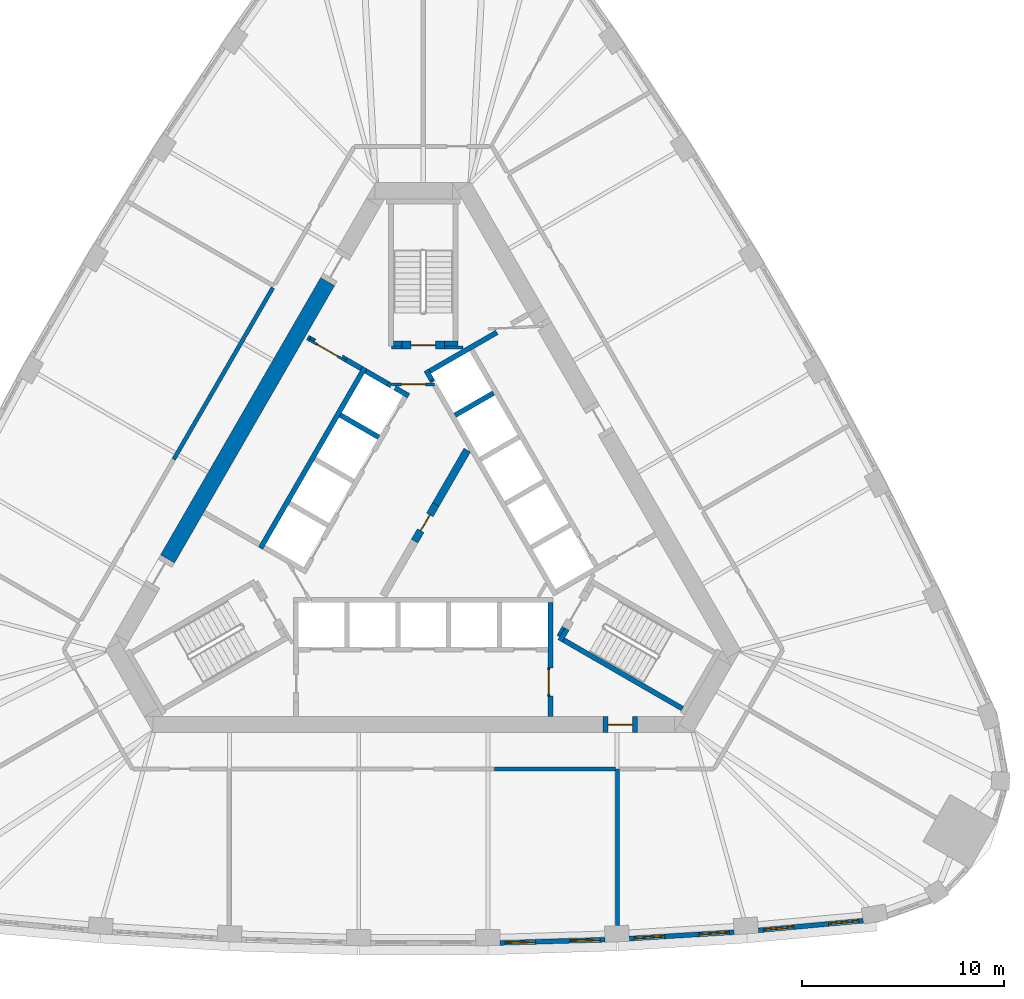
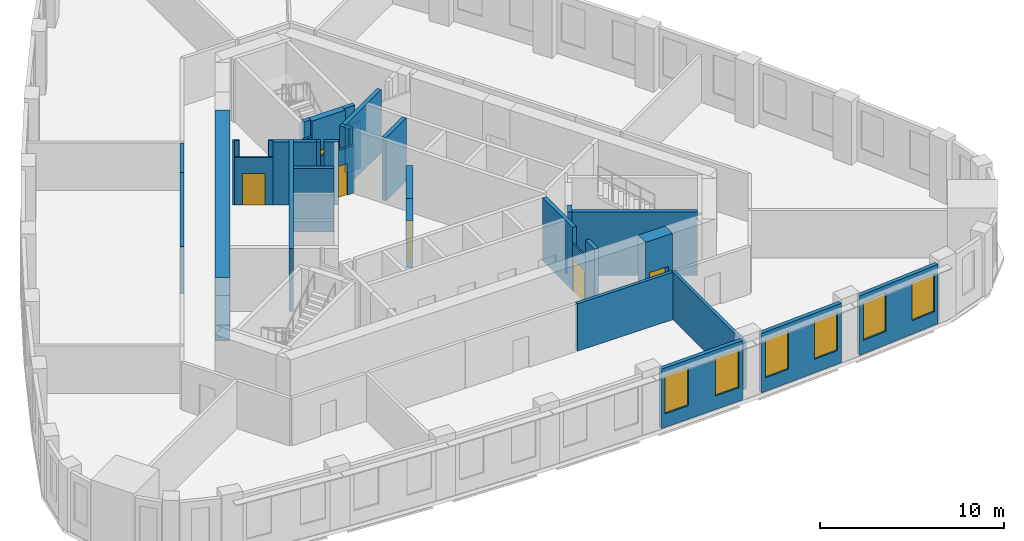
# One storey, part 5 of 9: 37 walls, 6 doors, 6 windows, 12 openings.
"""IFC4 building model written with IfcOpenShell, lengths in metres."""

from ifc_helpers import new_model, si_unit, direction, frame, frame_2d, origin, place, context, subcontext, project, spatial, polyline, rectangle, outline, extrude, material, layer, layer_set, type_object, element, fill, save


model = new_model("IFC4")

# Units and contexts
model_context = context("Model", 3, precision=1e-05, world=origin(), true_north=direction((0.0, 1.0)))
body_context = subcontext(model_context, "Body", "Model", "MODEL_VIEW")
ifc_project = project(units=[si_unit("LENGTHUNIT", "METRE"), si_unit("AREAUNIT", "SQUARE_METRE"), si_unit("VOLUMEUNIT", "CUBIC_METRE"), si_unit("PLANEANGLEUNIT", "RADIAN"), si_unit("MASSUNIT", "GRAM", prefix="KILO")], contexts=[model_context])

# Site, building, storey
site_placement = place(None, origin())
site = spatial("IfcSite", under=ifc_project, at=site_placement, CompositionType="ELEMENT")
building_placement = place(site_placement, origin())
building = spatial("IfcBuilding", under=site, at=building_placement, Name="Mestral Congress Tower", CompositionType="ELEMENT")
storey_placement = place(building_placement, frame((0.0, 0.0, 179.39990234375)))
storey = spatial("IfcBuildingStorey", under=building, at=storey_placement, Name="L42", CompositionType="ELEMENT", Elevation=179.39990234375)

# Walls
ifc_material_1 = material(Name="Fire-rated board partition")
ifc_layer_1 = layer(ifc_material_1, 0.14990234375)
ifc_layer_set_1 = layer_set([ifc_layer_1], Name="Fire-rated board partition")
wall_type_1 = type_object("IfcWallType", Name="Core partition 150", PredefinedType="PARTITIONING", material=ifc_layer_set_1)
wall_1_placement = place(storey_placement, frame((1.050048828125, 8.62548828125, 0.0), z_axis=(0.0, 0.0, 1.0), x_axis=(1.0, 0.0, 0.0)))
element("IfcWall", 1, at=wall_1_placement, inside=storey, type_object=wall_type_1, Name="L42 core wall", PredefinedType="PARTITIONING", context=body_context, shape_type="SweptSolid", body=[
    extrude(rectangle(XDim=0.9287109375, YDim=0.14990234375, at=frame_2d((0.46435546875, 0.0))), origin(), (0.0, 0.0, 1.0), 3.150146484375),
])
for number, where, z_axis, x_axis, name in (
    (2, (-1.56396484375, 8.62548828125, 0.0), (0.0, 0.0, 1.0), (1.0, 0.0, 0.0), "L42 core wall"),
    (3, (6.94482421875, -5.22216796875, 0.0), (0.0, 0.0, 1.0), (-0.499818422106, -0.866130212453, 0.0), "L42 core wall"),
):
    element("IfcWall", number, at=place(storey_placement, frame(where, z_axis=z_axis, x_axis=x_axis)), inside=storey, type_object=wall_type_1, Name=name, PredefinedType="PARTITIONING", context=body_context, shape_type="SweptSolid", body=[
        extrude(rectangle(XDim=0.513916015625, YDim=0.14990234375, at=frame_2d((0.2568359375, 0.0))), origin(), (0.0, 0.0, 1.0), 3.150146484375),
    ])
placement = place(storey_placement, origin())
element("IfcWall", 4, at=placement, inside=storey, type_object=wall_type_1, Name="L42 core wall", PredefinedType="PARTITIONING", context=body_context, shape_type="SweptSolid", body=[
    extrude(outline(polyline([(2.016845703125, 3.64306640625), (2.341552734375, 3.45556640625), (0.784912109375, 0.759521484375), (0.460205078125, 0.947021484375), (2.016845703125, 3.64306640625)])), origin(), (0.0, 0.0, 1.0), 3.150146484375),
])

# Wall, opening, door
wall_3_placement = place(storey_placement, frame((-1.534423828125, 6.800048828125, 0.0), z_axis=(0.0, 0.0, 1.0), x_axis=(1.0, 0.0, 0.0)))
wall_3 = element("IfcWall", 5, at=wall_3_placement, inside=storey, type_object=wall_type_1, Name="L42 door wall", PredefinedType="PARTITIONING", context=body_context, shape_type="SweptSolid", body=[
    extrude(rectangle(XDim=2.099853515625, YDim=0.14990234375, at=frame_2d((1.0498046875, 0.0))), origin(), (0.0, 0.0, 1.0), 3.150146484375),
])
opening_1_placement = place(wall_3_placement, frame((0.449951171875, 0.0, 0.0)))
opening_1 = element("IfcOpeningElement", 6, at=opening_1_placement, cuts=wall_3, Name="Opening CD2-FF", PredefinedType="OPENING", context=body_context, shape_type="SweptSolid", body=[
    extrude(rectangle(XDim=1.199951171875, YDim=2.10009765625, at=frame_2d((0.60009765625, 1.050048828125))), frame((0.0, 0.0849609375, 0.0), z_axis=(0.0, -1.0, 0.0), x_axis=(1.0, 0.0, 0.0)), (0.0, 0.0, 1.0), 0.169921875),
])
ifc_material_2 = material(Name="Fire-rated steel door set", Category="steel")
door_type_1 = type_object("IfcDoorType", Name="Core door CD 1200x2100", OperationType="SINGLE_SWING_LEFT", PredefinedType="DOOR", material=ifc_material_2)
door_1_placement = place(opening_1_placement, origin())
door_1 = element("IfcDoor", 7, at=door_1_placement, inside=storey, type_object=door_type_1, Name="Door CD2-FF", OperationType="SINGLE_SWING_LEFT", OverallHeight=2.10009765625, OverallWidth=1.199951171875, PredefinedType="DOOR", context=body_context, shape_type="SweptSolid", body=[
    extrude(rectangle(XDim=1.199951171875, YDim=2.10009765625, at=frame_2d((0.60009765625, 1.050048828125))), frame((0.0, 0.02490234375, 0.0), z_axis=(0.0, -1.0, 0.0), x_axis=(1.0, 0.0, 0.0)), (0.0, 0.0, 1.0), 0.050048828125),
])
fill(opening_1, door_1)

ifc_layer_2 = layer(ifc_material_1, 0.1201171875)
ifc_layer_set_2 = layer_set([ifc_layer_2], Name="Fire-rated board partition")
wall_type_2 = type_object("IfcWallType", Name="Core partition 150 door-wall 120", PredefinedType="PARTITIONING", material=ifc_layer_set_2)
wall_4_placement = place(storey_placement, frame((-5.65869140625, 9.01171875, 0.0), z_axis=(0.0, 0.0, 1.0), x_axis=(0.866009402589, -0.500027713859, 0.0)))
wall_4 = element("IfcWall", 8, at=wall_4_placement, inside=storey, type_object=wall_type_2, Name="L42 door wall", PredefinedType="PARTITIONING", context=body_context, shape_type="SweptSolid", body=[
    extrude(rectangle(XDim=2.10009765625, YDim=0.1201171875, at=frame_2d((1.050048828125, 0.0))), origin(), (0.0, 0.0, 1.0), 3.150146484375),
])
opening_2_placement = place(wall_4_placement, frame((0.449951171875, 0.0, 0.0)))
opening_2 = element("IfcOpeningElement", 9, at=opening_2_placement, cuts=wall_4, Name="Opening LB2-WL2", PredefinedType="OPENING", context=body_context, shape_type="SweptSolid", body=[
    extrude(rectangle(XDim=1.199951171875, YDim=2.10009765625, at=frame_2d((0.60009765625, 1.050048828125))), frame((0.0, 0.070068359375, 0.0), z_axis=(0.0, -1.0, 0.0), x_axis=(1.0, 0.0, 0.0)), (0.0, 0.0, 1.0), 0.14013671875),
])
door_type_2 = type_object("IfcDoorType", Name="Core door LB 1200x2100", OperationType="SINGLE_SWING_LEFT", PredefinedType="DOOR", material=ifc_material_2)
door_2_placement = place(opening_2_placement, origin())
door_2 = element("IfcDoor", 10, at=door_2_placement, inside=storey, type_object=door_type_2, Name="Door LB2-WL2", OperationType="SINGLE_SWING_LEFT", OverallHeight=2.10009765625, OverallWidth=1.199951171875, PredefinedType="DOOR", context=body_context, shape_type="SweptSolid", body=[
    extrude(rectangle(XDim=1.199951171875, YDim=2.10009765625, at=frame_2d((0.60009765625, 1.050048828125))), frame((0.0, 0.02490234375, 0.0), z_axis=(0.0, -1.0, 0.0), x_axis=(1.0, 0.0, 0.0)), (0.0, 0.0, 1.0), 0.050048828125),
])
fill(opening_2, door_2)

ifc_layer_3 = layer(ifc_material_1, 0.375)
ifc_layer_set_3 = layer_set([ifc_layer_3], Name="Fire-rated board partition")
wall_type_3 = type_object("IfcWallType", Name="Core partition 150 door-wall 375", PredefinedType="PARTITIONING", material=ifc_layer_set_3)
wall_5_placement = place(storey_placement, frame((-0.427490234375, -0.965576171875, 0.0), z_axis=(0.0, 0.0, 1.0), x_axis=(0.49994051562, 0.866059744384, 0.0)))
wall_5 = element("IfcWall", 11, at=wall_5_placement, inside=storey, type_object=wall_type_3, Name="L42 door wall", PredefinedType="PARTITIONING", context=body_context, shape_type="SweptSolid", body=[
    extrude(rectangle(XDim=2.099853515625, YDim=0.375, at=frame_2d((1.0498046875, 0.0))), origin(), (0.0, 0.0, 1.0), 3.150146484375),
])
opening_3_placement = place(wall_5_placement, frame((0.60009765625, 0.0, 0.0)))
opening_3 = element("IfcOpeningElement", 12, at=opening_3_placement, cuts=wall_5, Name="Opening CD1-HUB0", PredefinedType="OPENING", context=body_context, shape_type="SweptSolid", body=[
    extrude(rectangle(XDim=0.89990234375, YDim=2.10009765625, at=frame_2d((0.449951171875, 1.050048828125))), frame((0.0, 0.197509765625, 0.0), z_axis=(0.0, -1.0, 0.0), x_axis=(1.0, 0.0, 0.0)), (0.0, 0.0, 1.0), 0.39501953125),
])
door_type_3 = type_object("IfcDoorType", Name="Core door CD 900x2100", OperationType="SINGLE_SWING_LEFT", PredefinedType="DOOR", material=ifc_material_2)
door_3_placement = place(opening_3_placement, origin())
door_3 = element("IfcDoor", 13, at=door_3_placement, inside=storey, type_object=door_type_3, Name="Door CD1-HUB0", OperationType="SINGLE_SWING_LEFT", OverallHeight=2.10009765625, OverallWidth=0.89990234375, PredefinedType="DOOR", context=body_context, shape_type="SweptSolid", body=[
    extrude(rectangle(XDim=0.89990234375, YDim=2.10009765625, at=frame_2d((0.449951171875, 1.050048828125))), frame((0.0, 0.02490234375, 0.0), z_axis=(0.0, -1.0, 0.0), x_axis=(1.0, 0.0, 0.0)), (0.0, 0.0, 1.0), 0.050048828125),
])
fill(opening_3, door_3)

ifc_layer_4 = layer(ifc_material_1, 0.090087890625)
ifc_layer_set_4 = layer_set([ifc_layer_4], Name="Fire-rated board partition")
wall_type_4 = type_object("IfcWallType", Name="Core partition 150 door-wall 90", PredefinedType="PARTITIONING", material=ifc_layer_set_4)
wall_6_placement = place(storey_placement, frame((6.219970703125, -7.23681640625, 0.0), z_axis=(0.0, 0.0, 1.0), x_axis=(0.0, -1.0, 0.0)))
wall_6 = element("IfcWall", 14, at=wall_6_placement, inside=storey, type_object=wall_type_4, Name="L42 door wall", PredefinedType="PARTITIONING", context=body_context, shape_type="SweptSolid", body=[
    extrude(rectangle(XDim=1.400146484375, YDim=0.090087890625, at=frame_2d((0.7001953125, 0.0))), origin(), (0.0, 0.0, 1.0), 3.150146484375),
])
opening_4_placement = place(wall_6_placement, frame((0.10009765625, 0.0, 0.0)))
opening_4 = element("IfcOpeningElement", 15, at=opening_4_placement, cuts=wall_6, Name="Opening LB0-WL1", PredefinedType="OPENING", context=body_context, shape_type="SweptSolid", body=[
    extrude(rectangle(XDim=1.199951171875, YDim=2.10009765625, at=frame_2d((0.60009765625, 1.050048828125))), frame((0.0, 0.054931640625, 0.0), z_axis=(0.0, -1.0, 0.0), x_axis=(1.0, 0.0, 0.0)), (0.0, 0.0, 1.0), 0.110107421875),
])
door_4_placement = place(opening_4_placement, origin())
door_4 = element("IfcDoor", 16, at=door_4_placement, inside=storey, type_object=door_type_2, Name="Door LB0-WL1", OperationType="SINGLE_SWING_LEFT", OverallHeight=2.10009765625, OverallWidth=1.199951171875, PredefinedType="DOOR", context=body_context, shape_type="SweptSolid", body=[
    extrude(rectangle(XDim=1.199951171875, YDim=2.10009765625, at=frame_2d((0.60009765625, 1.050048828125))), frame((0.0, 0.02490234375, 0.0), z_axis=(0.0, -1.0, 0.0), x_axis=(1.0, 0.0, 0.0)), (0.0, 0.0, 1.0), 0.050048828125),
])
fill(opening_4, door_4)

# Wall
ifc_material_3 = material(Name="Concrete C60/75", Category="concrete")
ifc_layer_5 = layer(ifc_material_3, 0.800048828125)
ifc_layer_set_5 = layer_set([ifc_layer_5], Name="Concrete C60/75")
wall_type_5 = type_object("IfcWallType", Name="Core wall RC 800", PredefinedType="SOLIDWALL", material=ifc_layer_set_5)
wall_7_placement = place(storey_placement, frame((-12.668212890625, -1.841796875, 0.0), z_axis=(0.0, 0.0, 1.0), x_axis=(0.500003640647, 0.866023301845, 0.0)))
element("IfcWall", 17, at=wall_7_placement, inside=storey, type_object=wall_type_5, Name="L42 core wall", PredefinedType="SOLIDWALL", context=body_context, shape_type="SweptSolid", body=[
    extrude(rectangle(XDim=15.8583984375, YDim=0.800048828125, at=frame_2d((7.92919921875, 0.0))), origin(), (0.0, 0.0, 1.0), 4.2001953125),
])

# Wall, opening, door
wall_8_placement = place(storey_placement, frame((10.6044921875, -10.050048828125, 0.0), z_axis=(0.0, 0.0, 1.0), x_axis=(-1.0, 0.0, 0.0)))
wall_8 = element("IfcWall", 18, at=wall_8_placement, inside=storey, type_object=wall_type_5, Name="L42 door wall", PredefinedType="SOLIDWALL", context=body_context, shape_type="SweptSolid", body=[
    extrude(rectangle(XDim=1.699951171875, YDim=0.800048828125, at=frame_2d((0.85009765625, 0.0))), origin(), (0.0, 0.0, 1.0), 4.2001953125),
])
opening_5_placement = place(wall_8_placement, frame((0.25, 0.0, 0.0)))
opening_5 = element("IfcOpeningElement", 19, at=opening_5_placement, cuts=wall_8, Name="Opening XD1", PredefinedType="OPENING", context=body_context, shape_type="SweptSolid", body=[
    extrude(rectangle(XDim=1.199951171875, YDim=2.10009765625, at=frame_2d((0.60009765625, 1.050048828125))), frame((0.0, 0.409912109375, 0.0), z_axis=(0.0, -1.0, 0.0), x_axis=(1.0, 0.0, 0.0)), (0.0, 0.0, 1.0), 0.820068359375),
])
door_type_4 = type_object("IfcDoorType", Name="Core door XD 1200x2100", OperationType="SINGLE_SWING_LEFT", PredefinedType="DOOR", material=ifc_material_2)
door_5_placement = place(opening_5_placement, origin())
door_5 = element("IfcDoor", 20, at=door_5_placement, inside=storey, type_object=door_type_4, Name="Door XD1", OperationType="SINGLE_SWING_LEFT", OverallHeight=2.10009765625, OverallWidth=1.199951171875, PredefinedType="DOOR", context=body_context, shape_type="SweptSolid", body=[
    extrude(rectangle(XDim=1.199951171875, YDim=2.10009765625, at=frame_2d((0.60009765625, 1.050048828125))), frame((0.0, 0.02490234375, 0.0), z_axis=(0.0, -1.0, 0.0), x_axis=(1.0, 0.0, 0.0)), (0.0, 0.0, 1.0), 0.050048828125),
])
fill(opening_5, door_5)

# Wall, openings, windows
ifc_material_4 = material(Name="Precast concrete C40/50 with limestone facing", Category="masonry")
ifc_layer_6 = layer(ifc_material_4, 0.239990234375)
ifc_layer_set_6 = layer_set([ifc_layer_6], Name="Precast concrete C40/50 with limestone facing")
wall_type_6 = type_object("IfcWallType", Name="Facade stone wall 240", PredefinedType="SOLIDWALL", material=ifc_layer_set_6)
wall_9_placement = place(storey_placement, frame((3.80615234375, -20.869873046875, 0.0), z_axis=(0.0, 0.0, 1.0), x_axis=(0.999533441983, 0.030543384845, 0.0)))
wall_9 = element("IfcWall", 21, at=wall_9_placement, inside=storey, type_object=wall_type_6, Name="Facade wall F0-04", PredefinedType="SOLIDWALL", context=body_context, shape_type="SweptSolid", body=[
    extrude(rectangle(XDim=5.20361328125, YDim=0.239990234375, at=frame_2d((2.601806640625, 0.0))), origin(), (0.0, 0.0, 1.0), 3.9501953125),
])
opening_6_placement = place(wall_9_placement, frame((0.248291015625, 0.0, 0.89990234375)))
opening_6 = element("IfcOpeningElement", 22, at=opening_6_placement, cuts=wall_9, Name="Opening W4", PredefinedType="OPENING", context=body_context, shape_type="SweptSolid", body=[
    extrude(rectangle(XDim=1.5, YDim=2.550048828125, at=frame_2d((0.75, 1.27490234375))), frame((0.0, 0.1298828125, 0.0), z_axis=(0.0, -1.0, 0.0), x_axis=(1.0, 0.0, 0.0)), (0.0, 0.0, 1.0), 0.260009765625),
])
opening_7_placement = place(wall_9_placement, frame((3.455078125, 0.0, 0.89990234375)))
opening_7 = element("IfcOpeningElement", 23, at=opening_7_placement, cuts=wall_9, Name="Opening W4", PredefinedType="OPENING", context=body_context, shape_type="SweptSolid", body=[
    extrude(rectangle(XDim=1.5, YDim=2.550048828125, at=frame_2d((0.75, 1.27490234375))), frame((0.0, 0.1298828125, 0.0), z_axis=(0.0, -1.0, 0.0), x_axis=(1.0, 0.0, 0.0)), (0.0, 0.0, 1.0), 0.260009765625),
])
ifc_material_5 = material(Name="Clear low-emissivity double glazing", Category="glass")
window_type = type_object("IfcWindowType", Name="Facade punched window 1500 x 2550 sill 900", PartitioningType="SINGLE_PANEL", PredefinedType="WINDOW", material=ifc_material_5)
window_1_placement = place(opening_6_placement, origin())
window_1 = element("IfcWindow", 24, at=window_1_placement, inside=storey, type_object=window_type, Name="Window F0-04a", OverallHeight=2.550048828125, OverallWidth=1.5, PartitioningType="SINGLE_PANEL", PredefinedType="WINDOW", context=body_context, shape_type="SweptSolid", body=[
    extrude(rectangle(XDim=1.5, YDim=2.550048828125, at=frame_2d((0.75, 1.27490234375))), frame((0.0, 0.0400390625, 0.0), z_axis=(0.0, -1.0, 0.0), x_axis=(1.0, 0.0, 0.0)), (0.0, 0.0, 1.0), 0.06005859375),
])
fill(opening_6, window_1)
window_2_placement = place(opening_7_placement, origin())
window_2 = element("IfcWindow", 25, at=window_2_placement, inside=storey, type_object=window_type, Name="Window F0-04b", OverallHeight=2.550048828125, OverallWidth=1.5, PartitioningType="SINGLE_PANEL", PredefinedType="WINDOW", context=body_context, shape_type="SweptSolid", body=[
    extrude(rectangle(XDim=1.5, YDim=2.550048828125, at=frame_2d((0.75, 1.27490234375))), frame((0.0, 0.0400390625, 0.0), z_axis=(0.0, -1.0, 0.0), x_axis=(1.0, 0.0, 0.0)), (0.0, 0.0, 1.0), 0.06005859375),
])
fill(opening_7, window_2)

wall_10_placement = place(storey_placement, frame((10.210693359375, -20.656005859375, 0.0), z_axis=(0.0, 0.0, 1.0), x_axis=(0.998135294646, 0.061040425794, 0.0)))
wall_10 = element("IfcWall", 26, at=wall_10_placement, inside=storey, type_object=wall_type_6, Name="Facade wall F0-05", PredefinedType="SOLIDWALL", context=body_context, shape_type="SweptSolid", body=[
    extrude(rectangle(XDim=5.20361328125, YDim=0.239990234375, at=frame_2d((2.601806640625, 0.0))), origin(), (0.0, 0.0, 1.0), 3.9501953125),
])
opening_8_placement = place(wall_10_placement, frame((0.248291015625, 0.0, 0.89990234375)))
opening_8 = element("IfcOpeningElement", 27, at=opening_8_placement, cuts=wall_10, Name="Opening W4", PredefinedType="OPENING", context=body_context, shape_type="SweptSolid", body=[
    extrude(rectangle(XDim=1.5, YDim=2.550048828125, at=frame_2d((0.75, 1.27490234375))), frame((0.0, 0.1298828125, 0.0), z_axis=(0.0, -1.0, 0.0), x_axis=(1.0, 0.0, 0.0)), (0.0, 0.0, 1.0), 0.260009765625),
])
opening_9_placement = place(wall_10_placement, frame((3.455078125, 0.0, 0.89990234375)))
opening_9 = element("IfcOpeningElement", 28, at=opening_9_placement, cuts=wall_10, Name="Opening W4", PredefinedType="OPENING", context=body_context, shape_type="SweptSolid", body=[
    extrude(rectangle(XDim=1.5, YDim=2.550048828125, at=frame_2d((0.75, 1.27490234375))), frame((0.0, 0.1298828125, 0.0), z_axis=(0.0, -1.0, 0.0), x_axis=(1.0, 0.0, 0.0)), (0.0, 0.0, 1.0), 0.260009765625),
])
window_3_placement = place(opening_8_placement, origin())
window_3 = element("IfcWindow", 29, at=window_3_placement, inside=storey, type_object=window_type, Name="Window F0-05a", OverallHeight=2.550048828125, OverallWidth=1.5, PartitioningType="SINGLE_PANEL", PredefinedType="WINDOW", context=body_context, shape_type="SweptSolid", body=[
    extrude(rectangle(XDim=1.5, YDim=2.550048828125, at=frame_2d((0.75, 1.27490234375))), frame((0.0, 0.0400390625, 0.0), z_axis=(0.0, -1.0, 0.0), x_axis=(1.0, 0.0, 0.0)), (0.0, 0.0, 1.0), 0.06005859375),
])
fill(opening_8, window_3)
window_4_placement = place(opening_9_placement, origin())
window_4 = element("IfcWindow", 30, at=window_4_placement, inside=storey, type_object=window_type, Name="Window F0-05b", OverallHeight=2.550048828125, OverallWidth=1.5, PartitioningType="SINGLE_PANEL", PredefinedType="WINDOW", context=body_context, shape_type="SweptSolid", body=[
    extrude(rectangle(XDim=1.5, YDim=2.550048828125, at=frame_2d((0.75, 1.27490234375))), frame((0.0, 0.0400390625, 0.0), z_axis=(0.0, -1.0, 0.0), x_axis=(1.0, 0.0, 0.0)), (0.0, 0.0, 1.0), 0.06005859375),
])
fill(opening_9, window_4)

wall_11_placement = place(storey_placement, frame((16.605712890625, -20.24658203125, 0.0), z_axis=(0.0, 0.0, 1.0), x_axis=(0.995808712151, 0.091460422067, 0.0)))
wall_11 = element("IfcWall", 31, at=wall_11_placement, inside=storey, type_object=wall_type_6, Name="Facade wall F0-06", PredefinedType="SOLIDWALL", context=body_context, shape_type="SweptSolid", body=[
    extrude(rectangle(XDim=5.213134765625, YDim=0.239990234375, at=frame_2d((2.6064453125, 0.0))), origin(), (0.0, 0.0, 1.0), 3.9501953125),
])
opening_10_placement = place(wall_11_placement, frame((0.2607421875, 0.0, 0.89990234375)))
opening_10 = element("IfcOpeningElement", 32, at=opening_10_placement, cuts=wall_11, Name="Opening W4", PredefinedType="OPENING", context=body_context, shape_type="SweptSolid", body=[
    extrude(rectangle(XDim=1.5, YDim=2.550048828125, at=frame_2d((0.75, 1.27490234375))), frame((0.0, 0.1298828125, 0.0), z_axis=(0.0, -1.0, 0.0), x_axis=(1.0, 0.0, 0.0)), (0.0, 0.0, 1.0), 0.260009765625),
])
opening_11_placement = place(wall_11_placement, frame((3.492431640625, 0.0, 0.89990234375)))
opening_11 = element("IfcOpeningElement", 33, at=opening_11_placement, cuts=wall_11, Name="Opening W4", PredefinedType="OPENING", context=body_context, shape_type="SweptSolid", body=[
    extrude(rectangle(XDim=1.5, YDim=2.550048828125, at=frame_2d((0.75, 1.27490234375))), frame((0.0, 0.1298828125, 0.0), z_axis=(0.0, -1.0, 0.0), x_axis=(1.0, 0.0, 0.0)), (0.0, 0.0, 1.0), 0.260009765625),
])
window_5_placement = place(opening_10_placement, origin())
window_5 = element("IfcWindow", 34, at=window_5_placement, inside=storey, type_object=window_type, Name="Window F0-06a", OverallHeight=2.550048828125, OverallWidth=1.5, PartitioningType="SINGLE_PANEL", PredefinedType="WINDOW", context=body_context, shape_type="SweptSolid", body=[
    extrude(rectangle(XDim=1.5, YDim=2.550048828125, at=frame_2d((0.75, 1.27490234375))), frame((0.0, 0.0400390625, 0.0), z_axis=(0.0, -1.0, 0.0), x_axis=(1.0, 0.0, 0.0)), (0.0, 0.0, 1.0), 0.06005859375),
])
fill(opening_10, window_5)
window_6_placement = place(opening_11_placement, origin())
window_6 = element("IfcWindow", 35, at=window_6_placement, inside=storey, type_object=window_type, Name="Window F0-06b", OverallHeight=2.550048828125, OverallWidth=1.5, PartitioningType="SINGLE_PANEL", PredefinedType="WINDOW", context=body_context, shape_type="SweptSolid", body=[
    extrude(rectangle(XDim=1.5, YDim=2.550048828125, at=frame_2d((0.75, 1.27490234375))), frame((0.0, 0.0400390625, 0.0), z_axis=(0.0, -1.0, 0.0), x_axis=(1.0, 0.0, 0.0)), (0.0, 0.0, 1.0), 0.06005859375),
])
fill(opening_11, window_6)

# Walls
ifc_material_6 = material(Name="Dense masonry wall, plastered", Category="masonry")
ifc_layer_7 = layer(ifc_material_6, 0.199951171875)
ifc_layer_set_7 = layer_set([ifc_layer_7], Name="Dense masonry wall, plastered")
wall_type_7 = type_object("IfcWallType", Name="Office tenancy wall 200", PredefinedType="PARTITIONING", material=ifc_layer_set_7)
wall_12_placement = place(storey_placement, frame((9.6171875, -12.25, 0.0), z_axis=(0.0, 0.0, 1.0), x_axis=(0.0, -1.0, 0.0)))
element("IfcWall", 36, at=wall_12_placement, inside=storey, type_object=wall_type_7, Name="Tenancy wall", PredefinedType="PARTITIONING", context=body_context, shape_type="SweptSolid", body=[
    extrude(rectangle(XDim=7.761474609375, YDim=0.199951171875, at=frame_2d((3.880859375, 0.0))), origin(), (0.0, 0.0, 1.0), 3.150146484375),
])
wall_13_placement = place(storey_placement, frame((3.530029296875, -12.25, 0.0), z_axis=(0.0, 0.0, 1.0), x_axis=(1.0, 0.0, 0.0)))
element("IfcWall", 37, at=wall_13_placement, inside=storey, type_object=wall_type_7, Name="Tenancy wall", PredefinedType="PARTITIONING", context=body_context, shape_type="SweptSolid", body=[
    extrude(rectangle(XDim=5.987060546875, YDim=0.199951171875, at=frame_2d((2.99365234375, 0.0))), origin(), (0.0, 0.0, 1.0), 3.150146484375),
])
wall_14_placement = place(storey_placement, frame((-8.85888671875, 9.156005859375, 0.0), z_axis=(0.0, 0.0, 1.0), x_axis=(-0.500010275428, -0.866019471182, 0.0)))
element("IfcWall", 38, at=wall_14_placement, inside=storey, type_object=wall_type_7, Name="Tenancy wall", PredefinedType="PARTITIONING", context=body_context, shape_type="SweptSolid", body=[
    extrude(rectangle(XDim=6.999755859375, YDim=0.199951171875, at=frame_2d((3.5, 0.0))), origin(), (0.0, 0.0, 1.0), 3.150146484375),
])
wall_15_placement = place(storey_placement, frame((-7.452880859375, 11.59130859375, 0.0), z_axis=(0.0, 0.0, 1.0), x_axis=(-0.499980749935, -0.866036517529, 0.0)))
element("IfcWall", 39, at=wall_15_placement, inside=storey, type_object=wall_type_7, Name="Tenancy wall", PredefinedType="PARTITIONING", context=body_context, shape_type="SweptSolid", body=[
    extrude(rectangle(XDim=2.78173828125, YDim=0.199951171875, at=frame_2d((1.390869140625, 0.0))), origin(), (0.0, 0.0, 1.0), 3.150146484375),
])
ifc_layer_8 = layer(ifc_material_3, 0.25)
ifc_layer_set_8 = layer_set([ifc_layer_8], Name="Concrete C60/75")
wall_type_8 = type_object("IfcWallType", Name="Shaft wall RC 250", PredefinedType="SOLIDWALL", material=ifc_layer_set_8)
wall_16_placement = place(storey_placement, frame((6.300048828125, -7.239990234375, 0.0), z_axis=(0.0, 0.0, 1.0), x_axis=(0.0, 1.0, 0.0)))
element("IfcWall", 40, at=wall_16_placement, inside=storey, type_object=wall_type_8, Name="L42 core wall", PredefinedType="SOLIDWALL", context=body_context, shape_type="SweptSolid", body=[
    extrude(rectangle(XDim=3.239990234375, YDim=0.25, at=frame_2d((1.6201171875, 0.0))), origin(), (0.0, 0.0, 1.0), 4.2001953125),
])
wall_17_placement = place(storey_placement, frame((6.300048828125, -9.64990234375, 0.0), z_axis=(0.0, 0.0, 1.0), x_axis=(0.0, 1.0, 0.0)))
element("IfcWall", 41, at=wall_17_placement, inside=storey, type_object=wall_type_8, Name="L42 core wall", PredefinedType="SOLIDWALL", context=body_context, shape_type="SweptSolid", body=[
    extrude(rectangle(XDim=1.0078125, YDim=0.25, at=frame_2d((0.50390625, 0.0))), origin(), (0.0, 0.0, 1.0), 4.2001953125),
])
wall_18_placement = place(storey_placement, frame((0.473388671875, 6.93017578125, 0.0), z_axis=(0.0, 0.0, 1.0), x_axis=(-0.49972245349, 0.866185586049, 0.0)))
element("IfcWall", 42, at=wall_18_placement, inside=storey, type_object=wall_type_8, Name="L42 core wall", PredefinedType="SOLIDWALL", context=body_context, shape_type="SweptSolid", body=[
    extrude(rectangle(XDim=0.10986328125, YDim=0.25, at=frame_2d((0.054931640625, 0.0))), origin(), (0.0, 0.0, 1.0), 4.2001953125),
])
wall_19_placement = place(storey_placement, frame((0.41748046875, 7.027099609375, 0.0), z_axis=(0.0, 0.0, 1.0), x_axis=(-0.500210807569, 0.865903659763, 0.0)))
element("IfcWall", 43, at=wall_19_placement, inside=storey, type_object=wall_type_8, Name="L42 core wall", PredefinedType="SOLIDWALL", context=body_context, shape_type="SweptSolid", body=[
    extrude(rectangle(XDim=0.548095703125, YDim=0.25, at=frame_2d((0.27392578125, 0.0))), origin(), (0.0, 0.0, 1.0), 4.2001953125),
])
wall_20_placement = place(storey_placement, frame((3.647216796875, 9.38037109375, 0.0), z_axis=(0.0, 0.0, 1.0), x_axis=(-0.866025015791, -0.500000672024, 0.0)))
element("IfcWall", 44, at=wall_20_placement, inside=storey, type_object=wall_type_8, Name="L42 core wall", PredefinedType="SOLIDWALL", context=body_context, shape_type="SweptSolid", body=[
    extrude(rectangle(XDim=3.8486328125, YDim=0.25, at=frame_2d((1.92431640625, 0.0))), origin(), (0.0, 0.0, 1.0), 4.2001953125),
])
wall_21_placement = place(storey_placement, frame((1.57421875, 5.273681640625, 0.0), z_axis=(0.0, 0.0, 1.0), x_axis=(0.866028486751, 0.499994660107, 0.0)))
element("IfcWall", 45, at=wall_21_placement, inside=storey, type_object=wall_type_8, Name="L42 core wall", PredefinedType="SOLIDWALL", context=body_context, shape_type="SweptSolid", body=[
    extrude(rectangle(XDim=2.19970703125, YDim=0.25, at=frame_2d((1.099853515625, 0.0))), origin(), (0.0, 0.0, 1.0), 4.2001953125),
])
wall_22_placement = place(storey_placement, frame((-8.06005859375, -1.310546875, 0.0), z_axis=(0.0, 0.0, 1.0), x_axis=(0.50000273126, 0.866023826885, 0.0)))
element("IfcWall", 46, at=wall_22_placement, inside=storey, type_object=wall_type_8, Name="L42 core wall", PredefinedType="SOLIDWALL", context=body_context, shape_type="SweptSolid", body=[
    extrude(rectangle(XDim=10.330078125, YDim=0.25, at=frame_2d((5.1650390625, 0.0))), origin(), (0.0, 0.0, 1.0), 4.2001953125),
])
wall_23_placement = place(storey_placement, frame((-1.75830078125, 6.834716796875, 0.0), z_axis=(0.0, 0.0, 1.0), x_axis=(0.865982457891, -0.500074377092, 0.0)))
element("IfcWall", 47, at=wall_23_placement, inside=storey, type_object=wall_type_8, Name="L42 core wall", PredefinedType="SOLIDWALL", context=body_context, shape_type="SweptSolid", body=[
    extrude(rectangle(XDim=0.2001953125, YDim=0.25, at=frame_2d((0.10009765625, 0.0))), origin(), (0.0, 0.0, 1.0), 4.2001953125),
])
wall_24_placement = place(storey_placement, frame((-1.760009765625, 6.835693359375, 0.0), z_axis=(0.0, 0.0, 1.0), x_axis=(-0.865952863304, 0.500125622755, 0.0)))
element("IfcWall", 48, at=wall_24_placement, inside=storey, type_object=wall_type_8, Name="L42 core wall", PredefinedType="SOLIDWALL", context=body_context, shape_type="SweptSolid", body=[
    extrude(rectangle(XDim=1.258056640625, YDim=0.25, at=frame_2d((0.62890625, 0.0))), origin(), (0.0, 0.0, 1.0), 4.2001953125),
])
wall_25_placement = place(storey_placement, frame((-0.7275390625, 6.23974609375, 0.0), z_axis=(0.0, 0.0, 1.0), x_axis=(-0.865955664968, 0.500120771724, 0.0)))
element("IfcWall", 49, at=wall_25_placement, inside=storey, type_object=wall_type_8, Name="L42 core wall", PredefinedType="SOLIDWALL", context=body_context, shape_type="SweptSolid", body=[
    extrude(rectangle(XDim=0.778076171875, YDim=0.25, at=frame_2d((0.38916015625, 0.0))), origin(), (0.0, 0.0, 1.0), 4.2001953125),
])
wall_26_placement = place(storey_placement, frame((-2.2041015625, 4.182373046875, 0.0), z_axis=(0.0, 0.0, 1.0), x_axis=(-0.866008176907, 0.50002983664, 0.0)))
element("IfcWall", 50, at=wall_26_placement, inside=storey, type_object=wall_type_8, Name="L42 core wall", PredefinedType="SOLIDWALL", context=body_context, shape_type="SweptSolid", body=[
    extrude(rectangle(XDim=2.199951171875, YDim=0.25, at=frame_2d((1.10009765625, 0.0))), origin(), (0.0, 0.0, 1.0), 4.2001953125),
])
wall_27_placement = place(storey_placement, frame((-5.724609375, 9.124755859375, 0.0), z_axis=(0.0, 0.0, 1.0), x_axis=(0.866185586049, -0.49972245349, 0.0)))
element("IfcWall", 51, at=wall_27_placement, inside=storey, type_object=wall_type_8, Name="L42 core wall", PredefinedType="SOLIDWALL", context=body_context, shape_type="SweptSolid", body=[
    extrude(rectangle(XDim=0.10986328125, YDim=0.25, at=frame_2d((0.054931640625, 0.0))), origin(), (0.0, 0.0, 1.0), 4.2001953125),
])
wall_28_placement = place(storey_placement, frame((-3.06591796875, 7.58984375, 0.0), z_axis=(0.0, 0.0, 1.0), x_axis=(-0.866081358704, 0.49990307071, 0.0)))
element("IfcWall", 52, at=wall_28_placement, inside=storey, type_object=wall_type_8, Name="L42 core wall", PredefinedType="SOLIDWALL", context=body_context, shape_type="SweptSolid", body=[
    extrude(rectangle(XDim=0.858154296875, YDim=0.25, at=frame_2d((0.42919921875, 0.0))), origin(), (0.0, 0.0, 1.0), 4.2001953125),
])
element("IfcWall", 53, at=placement, inside=storey, type_object=wall_type_8, Name="L42 core wall", PredefinedType="SOLIDWALL", context=body_context, shape_type="SweptSolid", body=[
    extrude(outline(polyline([(-3.748291015625, 8.1279296875), (-3.813232421875, 8.015380859375), (-4.026611328125, 8.138671875), (-4.0166015625, 8.156005859375), (-4.007568359375, 8.17333984375), (-4.000244140625, 8.191650390625), (-3.994873046875, 8.21044921875), (-3.991455078125, 8.229736328125), (-3.98974609375, 8.24951171875), (-3.989990234375, 8.267578125), (-3.748291015625, 8.1279296875)])), origin(), (0.0, 0.0, 1.0), 4.2001953125),
])
element("IfcWall", 54, at=placement, inside=storey, type_object=wall_type_8, Name="L42 core wall", PredefinedType="SOLIDWALL", context=body_context, shape_type="SweptSolid", body=[
    extrude(outline(polyline([(-5.688720703125, 8.959716796875), (-5.690185546875, 8.960693359375), (-5.565185546875, 9.177001953125), (-5.318603515625, 9.03466796875), (-5.334716796875, 9.02587890625), (-5.3505859375, 9.0146484375), (-5.36572265625, 9.001953125), (-5.37939453125, 8.98779296875), (-5.3916015625, 8.972412109375), (-5.402099609375, 8.955810546875), (-5.412109375, 8.938720703125), (-5.628662109375, 9.063720703125), (-5.628662109375, 9.063720703125), (-5.688720703125, 8.959716796875)])), origin(), (0.0, 0.0, 1.0), 4.2001953125),
])
ifc_layer_9 = layer(ifc_material_3, 0.25)
ifc_layer_set_9 = layer_set([ifc_layer_9], Name="Concrete C60/75")
wall_type_9 = type_object("IfcWallType", Name="Stair wall RC 250", PredefinedType="SOLIDWALL", material=ifc_layer_set_9)
wall_31_placement = place(storey_placement, frame((12.83984375, -9.2607421875, 0.0), z_axis=(0.0, 0.0, 1.0), x_axis=(-0.866013990052, 0.500019768644, 0.0)))
element("IfcWall", 55, at=wall_31_placement, inside=storey, type_object=wall_type_9, Name="L42 core wall", PredefinedType="SOLIDWALL", context=body_context, shape_type="SweptSolid", body=[
    extrude(rectangle(XDim=6.800048828125, YDim=0.25, at=frame_2d((3.39990234375, 0.0))), origin(), (0.0, 0.0, 1.0), 4.2001953125),
])
for number, where, z_axis, x_axis, name in (
    (56, (6.780029296875, -5.906494140625, 0.0), (0.0, 0.0, 1.0), (0.500223362819, 0.865896406789, 0.0), "L42 core wall"),
    (57, (1.050048828125, 8.824951171875, 0.0), (0.0, 0.0, 1.0), (1.0, 0.0, 0.0), "L42 core wall"),
):
    element("IfcWall", number, at=place(storey_placement, frame(where, z_axis=z_axis, x_axis=x_axis)), inside=storey, type_object=wall_type_9, Name=name, PredefinedType="SOLIDWALL", context=body_context, shape_type="SweptSolid", body=[
        extrude(rectangle(XDim=0.675048828125, YDim=0.25, at=frame_2d((0.33740234375, 0.0))), origin(), (0.0, 0.0, 1.0), 4.2001953125),
    ])
wall_32_placement = place(storey_placement, frame((-1.47509765625, 8.824951171875, 0.0), z_axis=(0.0, 0.0, 1.0), x_axis=(1.0, 0.0, 0.0)))
element("IfcWall", 58, at=wall_32_placement, inside=storey, type_object=wall_type_9, Name="L42 core wall", PredefinedType="SOLIDWALL", context=body_context, shape_type="SweptSolid", body=[
    extrude(rectangle(XDim=0.425048828125, YDim=0.25, at=frame_2d((0.21240234375, 0.0))), origin(), (0.0, 0.0, 1.0), 4.2001953125),
])

# Wall, opening, door
ifc_layer_10 = layer(ifc_material_3, 0.39990234375)
ifc_layer_set_10 = layer_set([ifc_layer_10], Name="Concrete C60/75")
wall_type_10 = type_object("IfcWallType", Name="Stair wall RC 250 door-wall 400", PredefinedType="SOLIDWALL", material=ifc_layer_set_10)
wall_33_placement = place(storey_placement, frame((1.050048828125, 8.75, 0.0), z_axis=(0.0, 0.0, 1.0), x_axis=(-1.0, 0.0, 0.0)))
wall_33 = element("IfcWall", 59, at=wall_33_placement, inside=storey, type_object=wall_type_10, Name="L42 door wall", PredefinedType="SOLIDWALL", context=body_context, shape_type="SweptSolid", body=[
    extrude(rectangle(XDim=2.10009765625, YDim=0.39990234375, at=frame_2d((1.050048828125, 0.0))), origin(), (0.0, 0.0, 1.0), 4.2001953125),
])
opening_12_placement = place(wall_33_placement, frame((0.449951171875, 0.0, 0.0)))
opening_12 = element("IfcOpeningElement", 60, at=opening_12_placement, cuts=wall_33, Name="Opening ST-D2", PredefinedType="OPENING", context=body_context, shape_type="SweptSolid", body=[
    extrude(rectangle(XDim=1.199951171875, YDim=2.10009765625, at=frame_2d((0.60009765625, 1.050048828125))), frame((0.0, 0.2099609375, 0.0), z_axis=(0.0, -1.0, 0.0), x_axis=(1.0, 0.0, 0.0)), (0.0, 0.0, 1.0), 0.419921875),
])
door_type_5 = type_object("IfcDoorType", Name="Core door ST 1200x2100", OperationType="SINGLE_SWING_LEFT", PredefinedType="DOOR", material=ifc_material_2)
door_6_placement = place(opening_12_placement, origin())
door_6 = element("IfcDoor", 61, at=door_6_placement, inside=storey, type_object=door_type_5, Name="Door ST-D2", OperationType="SINGLE_SWING_LEFT", OverallHeight=2.10009765625, OverallWidth=1.199951171875, PredefinedType="DOOR", context=body_context, shape_type="SweptSolid", body=[
    extrude(rectangle(XDim=1.199951171875, YDim=2.10009765625, at=frame_2d((0.60009765625, 1.050048828125))), frame((0.0, 0.02490234375, 0.0), z_axis=(0.0, -1.0, 0.0), x_axis=(1.0, 0.0, 0.0)), (0.0, 0.0, 1.0), 0.050048828125),
])
fill(opening_12, door_6)

save(model, "model.ifc")
